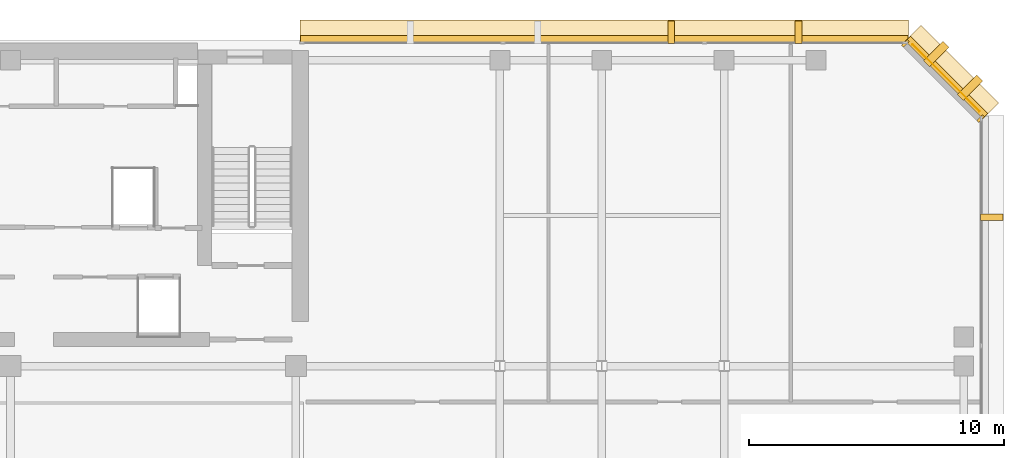
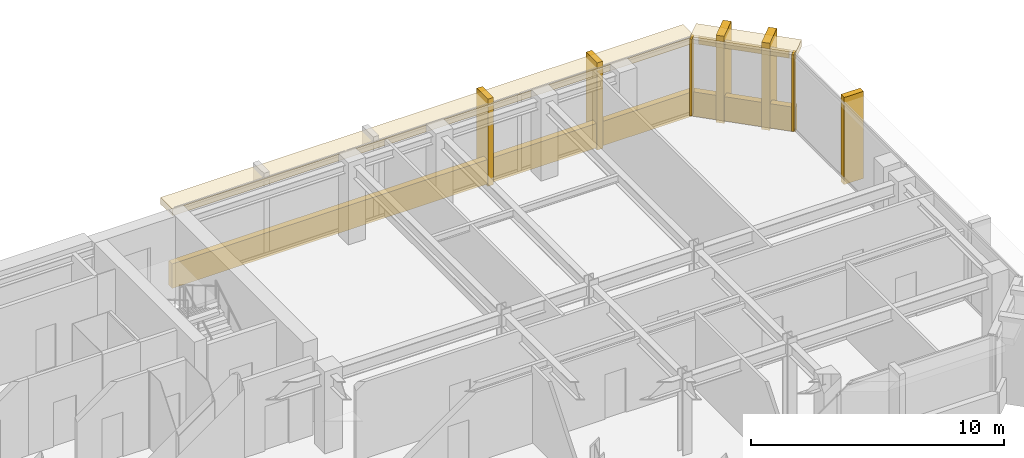
# One storey, part 12 of 12: 12 coverings.
"""IFC4 building model written with IfcOpenShell, lengths in metres."""

from ifc_helpers import new_model, si_unit, direction, frame, origin, origin_2d, place, context, subcontext, project, spatial, rectangle, extrude, material, layer, layer_set, type_object, element, save


model = new_model("IFC4")

# Units and contexts
model_context = context("Model", 3, precision=1e-05, world=origin(), true_north=direction((0.0, 1.0)))
body_context = subcontext(model_context, "Body", "Model", "MODEL_VIEW")
ifc_project = project(units=[si_unit("LENGTHUNIT", "METRE"), si_unit("AREAUNIT", "SQUARE_METRE"), si_unit("VOLUMEUNIT", "CUBIC_METRE"), si_unit("PLANEANGLEUNIT", "RADIAN"), si_unit("MASSUNIT", "GRAM", prefix="KILO")], contexts=[model_context])

# Site, building, storey
site_placement = place(None, origin())
site = spatial("IfcSite", under=ifc_project, at=site_placement, CompositionType="ELEMENT")
building_placement = place(site_placement, origin())
building = spatial("IfcBuilding", under=site, at=building_placement, Name="Kefirva Bronze Tower", CompositionType="ELEMENT")
storey_placement = place(building_placement, frame((0.0, 0.0, 260.3701171875)))
storey = spatial("IfcBuildingStorey", under=building, at=storey_placement, Name="L63", CompositionType="ELEMENT", Elevation=260.3701171875)

# Coverings
ifc_material = material(Name="Bronze anodised aluminium", Category="aluminium")
ifc_layer_1 = layer(ifc_material, 0.02001953125, Name="Bronze anodised aluminium")
ifc_layer_set_1 = layer_set([ifc_layer_1], Name="Bronze anodised aluminium")
covering_type_1 = type_object("IfcCoveringType", Name="Anodised Bronze Spandrel Cladding 20mm", PredefinedType="CLADDING", material=ifc_layer_set_1)
covering_1_placement = place(storey_placement, frame((48.70703125, 44.507080078125, 3.2900390625), z_axis=(0.0, 0.0, 1.0), x_axis=(-0.707106781187, 0.707106781187, 0.0)))
element("IfcCovering", 1, at=covering_1_placement, inside=storey, type_object=covering_type_1, Name="L63 Bronze Spandrel Cladding 5", PredefinedType="CLADDING", context=body_context, shape_type="SweptSolid", body=[
    extrude(rectangle(XDim=3.719482421875, YDim=0.02001953125, at=origin_2d()), origin(), (0.0, 0.0, 1.0), 0.39990234375),
])
for number, where, z_axis, x_axis, name in (
    (2, (50.06201171875, 42.91162109375, 0.0), (0.0, 0.0, 1.0), (-0.707106781187, 0.707106781187, 0.0), "L63 Facade Joint Closure Panel 5S"),
    (3, (47.11181640625, 45.862060546875, 0.0), (0.0, 0.0, 1.0), (-0.707106781187, 0.707106781187, 0.0), "L63 Facade Joint Closure Panel 5E"),
):
    element("IfcCovering", number, at=place(storey_placement, frame(where, z_axis=z_axis, x_axis=x_axis)), inside=storey, type_object=covering_type_1, Name=name, PredefinedType="CLADDING", context=body_context, shape_type="SweptSolid", body=[
        extrude(rectangle(XDim=0.10009765625, YDim=0.320068359375, at=origin_2d()), origin(), (0.0, 0.0, 1.0), 3.7099609375),
    ])
covering_2_placement = place(storey_placement, frame((48.728271484375, 44.5283203125, -0.16015625), z_axis=(0.0, 0.0, 1.0), x_axis=(-0.707106781187, 0.707106781187, 0.0)))
element("IfcCovering", 4, at=covering_2_placement, inside=storey, type_object=covering_type_1, Name="L63 Streamline Horizontal Spandrel Band 7", PredefinedType="CLADDING", context=body_context, shape_type="SweptSolid", body=[
    extrude(rectangle(XDim=4.28271484375, YDim=0.280029296875, at=origin_2d()), origin(), (0.0, 0.0, 1.0), 1.179931640625),
])
covering_3_placement = place(storey_placement, frame((35.302490234375, 46.0400390625, -0.16015625), z_axis=(0.0, 0.0, 1.0), x_axis=(-1.0, 0.0, 0.0)))
element("IfcCovering", 5, at=covering_3_placement, inside=storey, type_object=covering_type_1, Name="L63 Streamline Horizontal Spandrel Band 8", PredefinedType="CLADDING", context=body_context, shape_type="SweptSolid", body=[
    extrude(rectangle(XDim=23.8349609375, YDim=0.280029296875, at=origin_2d()), origin(), (0.0, 0.0, 1.0), 1.179931640625),
])
ifc_layer_2 = layer(ifc_material, 0.179931640625, Name="Bronze anodised aluminium")
ifc_layer_set_2 = layer_set([ifc_layer_2], Name="Bronze anodised aluminium")
covering_type_2 = type_object("IfcCoveringType", Name="Streamline Bronze Sunshade Eyebrow Cladding 180mm", PredefinedType="CLADDING", material=ifc_layer_set_2)
covering_4_placement = place(storey_placement, frame((48.919189453125, 44.71923828125, 3.3896484375), z_axis=(0.0, 0.0, 1.0), x_axis=(-0.707106781187, 0.707106781187, 0.0)))
element("IfcCovering", 6, at=covering_4_placement, inside=storey, type_object=covering_type_2, Name="L63 Streamline Bronze Sunshade Eyebrow 7", PredefinedType="CLADDING", context=body_context, shape_type="SweptSolid", body=[
    extrude(rectangle(XDim=4.322509765625, YDim=0.93994140625, at=origin_2d()), origin(), (0.0, 0.0, 1.0), 0.320068359375),
])
covering_5_placement = place(storey_placement, frame((35.302490234375, 46.31005859375, 3.3896484375), z_axis=(0.0, 0.0, 1.0), x_axis=(-1.0, 0.0, 0.0)))
element("IfcCovering", 7, at=covering_5_placement, inside=storey, type_object=covering_type_2, Name="L63 Streamline Bronze Sunshade Eyebrow 8", PredefinedType="CLADDING", context=body_context, shape_type="SweptSolid", body=[
    extrude(rectangle(XDim=23.875, YDim=0.93994140625, at=origin_2d()), origin(), (0.0, 0.0, 1.0), 0.320068359375),
])
ifc_layer_3 = layer(ifc_material, 0.260009765625, Name="Bronze anodised aluminium")
ifc_layer_set_3 = layer_set([ifc_layer_3], Name="Bronze anodised aluminium")
covering_type_3 = type_object("IfcCoveringType", Name="Unbroken Bronze Buttress Fin Cladding 260mm", PredefinedType="CLADDING", material=ifc_layer_set_3)
covering_6_placement = place(storey_placement, frame((50.5, 39.0400390625, -0.25), z_axis=(0.0, 0.0, 1.0), x_axis=(0.0, 1.0, 0.0)))
element("IfcCovering", 8, at=covering_6_placement, inside=storey, type_object=covering_type_3, Name="L63 Unbroken Vertical Bronze Rib Fin 14", PredefinedType="CLADDING", context=body_context, shape_type="SweptSolid", body=[
    extrude(rectangle(XDim=0.260009765625, YDim=0.8798828125, at=origin_2d()), origin(), (0.0, 0.0, 1.0), 4.2099609375),
])
for number, where, z_axis, x_axis, name in (
    (9, (49.642822265625, 44.122802734375, -0.25), (0.0, 0.0, 1.0), (-0.707106781187, 0.707106781187, 0.0), "L63 Chamfered Corner Buttress Fin Cladding 15"),
    (10, (48.32275390625, 45.44287109375, -0.25), (0.0, 0.0, 1.0), (-0.707106781187, 0.707106781187, 0.0), "L63 Chamfered Corner Buttress Fin Cladding 16"),
):
    element("IfcCovering", number, at=place(storey_placement, frame(where, z_axis=z_axis, x_axis=x_axis)), inside=storey, type_object=covering_type_3, Name=name, PredefinedType="CLADDING", context=body_context, shape_type="SweptSolid", body=[
        extrude(rectangle(XDim=0.340087890625, YDim=1.080078125, at=origin_2d()), origin(), (0.0, 0.0, 1.0), 4.2099609375),
    ])
for number, where, z_axis, x_axis, name in (
    (11, (42.9169921875, 46.300048828125, -0.25), (0.0, 0.0, 1.0), (-1.0, 0.0, 0.0), "L63 Unbroken Vertical Bronze Rib Fin 17"),
    (12, (37.919921875, 46.300048828125, -0.25), (0.0, 0.0, 1.0), (-1.0, 0.0, 0.0), "L63 Unbroken Vertical Bronze Rib Fin 18"),
):
    element("IfcCovering", number, at=place(storey_placement, frame(where, z_axis=z_axis, x_axis=x_axis)), inside=storey, type_object=covering_type_3, Name=name, PredefinedType="CLADDING", context=body_context, shape_type="SweptSolid", body=[
        extrude(rectangle(XDim=0.260009765625, YDim=0.8798828125, at=origin_2d()), origin(), (0.0, 0.0, 1.0), 4.2099609375),
    ])

save(model, "model.ifc")
